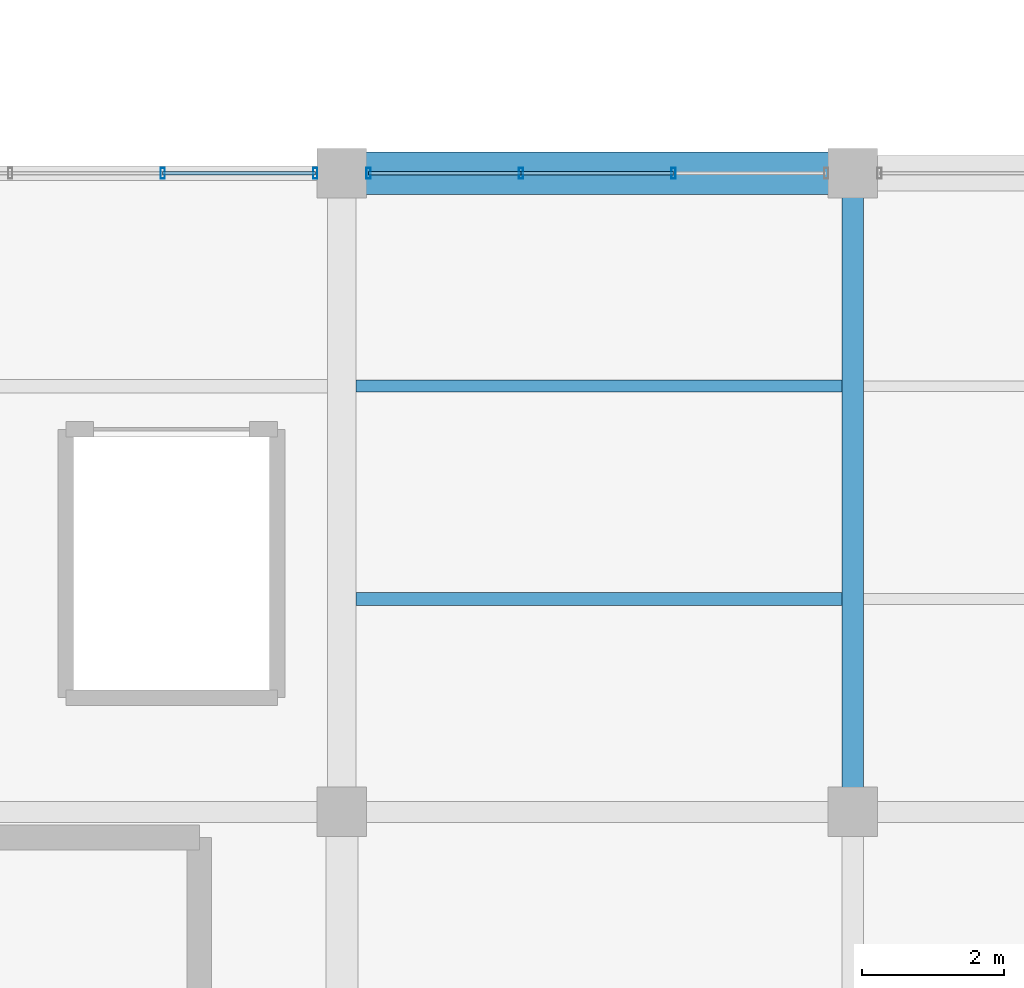
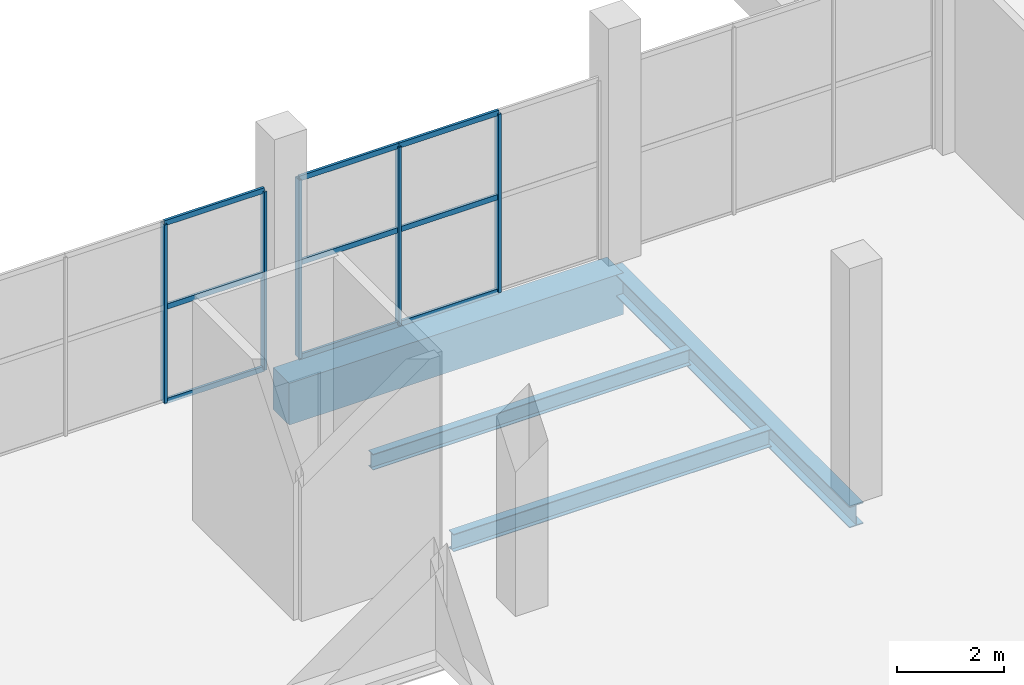
# One storey, part 102 of 147: 14 members, 4 beams, 2 elements without a shape of their own.
"""IFC4 building model written with IfcOpenShell, lengths in metres."""

from ifc_helpers import new_model, si_unit, direction, frame, origin, origin_2d, place, context, subcontext, project, spatial, rectangle, hollow_rectangle, i_section, extrude, material, layer, layer_set, material_profile, profile_set, type_object, element, aggregate, save


model = new_model("IFC4")

# Units and contexts
model_context = context("Model", 3, precision=1e-05, world=origin(), true_north=direction((0.0, 1.0)))
body_context = subcontext(model_context, "Body", "Model", "MODEL_VIEW")
ifc_project = project(units=[si_unit("LENGTHUNIT", "METRE"), si_unit("AREAUNIT", "SQUARE_METRE"), si_unit("VOLUMEUNIT", "CUBIC_METRE"), si_unit("PLANEANGLEUNIT", "RADIAN"), si_unit("MASSUNIT", "GRAM", prefix="KILO")], contexts=[model_context])

# Site, building, storey
site_placement = place(None, origin())
site = spatial("IfcSite", under=ifc_project, at=site_placement, CompositionType="ELEMENT")
building_placement = place(site_placement, origin())
building = spatial("IfcBuilding", under=site, at=building_placement, Name="Sundgate Opera House", CompositionType="ELEMENT")
storey_placement = place(building_placement, frame((0.0, 0.0, 6.0)))
storey = spatial("IfcBuildingStorey", under=building, at=storey_placement, Name="L01", CompositionType="ELEMENT", Elevation=6.0)

# Beams
ifc_material_1 = material(Name="Steel S355J2", Category="steel")
ifc_material_profile_1 = material_profile(ifc_material_1, i_section(OverallWidth=0.300048828125, OverallDepth=0.489990234375, WebThickness=0.011962890625, FlangeThickness=0.02294921875, at=origin_2d()), Name="HEA 500")
ifc_profile_set_1 = profile_set([ifc_material_profile_1], Name="Steel S355J2")
beam_type_1 = type_object("IfcBeamType", Name="BM-GR-HEA500", PredefinedType="BEAM", material=ifc_profile_set_1)
beam_1_placement = place(storey_placement, frame((145.800048828125, 78.0, -0.544921875), z_axis=(0.0, 1.0, 0.0), x_axis=(-1.0, 0.0, 0.0)))
element("IfcBeam", 1, at=beam_1_placement, inside=storey, type_object=beam_type_1, Name="L01 Primary N-S Girder B1235", PredefinedType="BEAM", context=body_context, shape_type="SweptSolid", body=[
    extrude(i_section(OverallWidth=0.300048828125, OverallDepth=0.489990234375, WebThickness=0.011962890625, FlangeThickness=0.02294921875, at=origin_2d()), origin(), (0.0, 0.0, 1.0), 9.0),
])
ifc_material_2 = material(Name="Steel S355J2", Category="steel")
ifc_material_profile_2 = material_profile(ifc_material_2, i_section(OverallWidth=0.169921875, OverallDepth=0.360107421875, WebThickness=0.008056640625, FlangeThickness=0.0126953125, at=origin_2d()), Name="IPE 360")
ifc_profile_set_2 = profile_set([ifc_material_profile_2], Name="Steel S355J2")
beam_type_2 = type_object("IfcBeamType", Name="BM-JS-IPE360", PredefinedType="JOIST", material=ifc_profile_set_2)
beam_2_placement = place(storey_placement, frame((138.800048828125, 84.0, -0.47998046875), z_axis=(1.0, 0.0, 0.0), x_axis=(0.0, 1.0, 0.0)))
element("IfcBeam", 2, at=beam_2_placement, inside=storey, type_object=beam_type_2, Name="L01 Secondary Floor Joist B1654", PredefinedType="JOIST", context=body_context, shape_type="SweptSolid", body=[
    extrude(i_section(OverallWidth=0.169921875, OverallDepth=0.360107421875, WebThickness=0.008056640625, FlangeThickness=0.0126953125, at=origin_2d()), origin(), (0.0, 0.0, 1.0), 6.849853515625),
])
ifc_material_3 = material(Name="Steel S355J2", Category="steel")
ifc_material_profile_3 = material_profile(ifc_material_3, i_section(OverallWidth=0.179931640625, OverallDepth=0.39990234375, WebThickness=0.008544921875, FlangeThickness=0.013427734375, at=origin_2d()), Name="IPE 400")
ifc_profile_set_3 = profile_set([ifc_material_profile_3], Name="Steel S355J2")
beam_type_3 = type_object("IfcBeamType", Name="BM-JS-IPE400", PredefinedType="JOIST", material=ifc_profile_set_3)
beam_3_placement = place(storey_placement, frame((138.800048828125, 81.0, -0.5), z_axis=(1.0, 0.0, 0.0), x_axis=(0.0, 1.0, 0.0)))
element("IfcBeam", 3, at=beam_3_placement, inside=storey, type_object=beam_type_3, Name="L01 Secondary Floor Joist B1653", PredefinedType="JOIST", context=body_context, shape_type="SweptSolid", body=[
    extrude(i_section(OverallWidth=0.179931640625, OverallDepth=0.39990234375, WebThickness=0.008544921875, FlangeThickness=0.013427734375, at=origin_2d()), origin(), (0.0, 0.0, 1.0), 6.849853515625),
])
ifc_material_4 = material(Name="Concrete C40/50", Category="concrete")
ifc_material_profile_4 = material_profile(ifc_material_4, rectangle(XDim=0.60009765625, YDim=0.949951171875, at=origin_2d()), Name="RC 600x950")
ifc_profile_set_4 = profile_set([ifc_material_profile_4], Name="Concrete C40/50")
beam_type_4 = type_object("IfcBeamType", Name="BM-RC-600x950", PredefinedType="BEAM", material=ifc_profile_set_4)
beam_4_placement = place(storey_placement, frame((138.60009765625, 87.0, -0.77490234375), z_axis=(1.0, 0.0, 0.0), x_axis=(0.0, 1.0, 0.0)))
element("IfcBeam", 4, at=beam_4_placement, inside=storey, type_object=beam_type_4, Name="L01 Primary E-W Girder B1397", PredefinedType="BEAM", context=body_context, shape_type="SweptSolid", body=[
    extrude(rectangle(XDim=0.60009765625, YDim=0.949951171875, at=origin_2d()), origin(), (0.0, 0.0, 1.0), 7.199951171875),
])

# Curtain wall, members
ifc_material_5 = material(Name="Anodized aluminium and low-iron glass", Category="aluminium")
ifc_layer = layer(ifc_material_5, 0.159912109375)
ifc_layer_set = layer_set([ifc_layer], Name="Anodized aluminium and low-iron glass")
curtain_wall_type = type_object("IfcCurtainWallType", Name="CW-STUDIO-DARK", PredefinedType="NOTDEFINED", material=ifc_layer_set)
curtain_wall_1_placement = place(storey_placement, origin())
curtain_wall_1 = element("IfcCurtainWall", 5, at=curtain_wall_1_placement, inside=storey, type_object=curtain_wall_type, Name="L01 Curtain Wall CW096", PredefinedType="NOTDEFINED")
ifc_material_6 = material(Name="Anodized aluminium EN AW-6063", Category="aluminium")
ifc_material_profile_5 = material_profile(ifc_material_6, hollow_rectangle(XDim=0.06005859375, YDim=0.14990234375, WallThickness=0.00390625, at=origin_2d()), Name="CWM 150x60x4")
ifc_profile_set_5 = profile_set([ifc_material_profile_5], Name="Anodized aluminium EN AW-6063")
member_type_1 = type_object("IfcMemberType", Name="CWM-ALU-150x60", PredefinedType="MULLION", material=ifc_profile_set_5)
member_1_placement = place(storey_placement, frame((136.074951171875, 87.0, 0.0), z_axis=(0.0, 0.0, 1.0), x_axis=(1.0, 0.0, 0.0)))
member_1 = element("IfcMember", 6, at=member_1_placement, type_object=member_type_1, Name="CW096 Mullion 3", PredefinedType="MULLION", context=body_context, shape_type="SweptSolid", body=[
    extrude(hollow_rectangle(XDim=0.06005859375, YDim=0.14990234375, WallThickness=0.00390625, at=origin_2d()), origin(), (0.0, 0.0, 1.0), 4.06494140625),
])
member_2_placement = place(storey_placement, frame((138.22509765625, 87.0, 0.0), z_axis=(0.0, 0.0, 1.0), x_axis=(1.0, 0.0, 0.0)))
member_2 = element("IfcMember", 7, at=member_2_placement, type_object=member_type_1, Name="CW096 Mullion 4", PredefinedType="MULLION", context=body_context, shape_type="SweptSolid", body=[
    extrude(hollow_rectangle(XDim=0.06005859375, YDim=0.14990234375, WallThickness=0.00390625, at=origin_2d()), origin(), (0.0, 0.0, 1.0), 4.06494140625),
])

curtain_wall_2_placement = place(storey_placement, origin())
curtain_wall_2 = element("IfcCurtainWall", 8, at=curtain_wall_2_placement, inside=storey, type_object=curtain_wall_type, Name="L01 Curtain Wall CW098", PredefinedType="NOTDEFINED")
member_3_placement = place(storey_placement, frame((138.97509765625, 87.0, 0.0), z_axis=(0.0, 0.0, 1.0), x_axis=(1.0, 0.0, 0.0)))
member_3 = element("IfcMember", 9, at=member_3_placement, type_object=member_type_1, Name="CW098 Mullion 1", PredefinedType="MULLION", context=body_context, shape_type="SweptSolid", body=[
    extrude(hollow_rectangle(XDim=0.06005859375, YDim=0.14990234375, WallThickness=0.00390625, at=origin_2d()), origin(), (0.0, 0.0, 1.0), 4.06494140625),
])
member_4_placement = place(storey_placement, frame((141.125, 87.0, 0.0), z_axis=(0.0, 0.0, 1.0), x_axis=(1.0, 0.0, 0.0)))
member_4 = element("IfcMember", 10, at=member_4_placement, type_object=member_type_1, Name="CW098 Mullion 2", PredefinedType="MULLION", context=body_context, shape_type="SweptSolid", body=[
    extrude(hollow_rectangle(XDim=0.06005859375, YDim=0.14990234375, WallThickness=0.00390625, at=origin_2d()), origin(), (0.0, 0.0, 1.0), 4.06494140625),
])
member_5_placement = place(storey_placement, frame((143.27490234375, 87.0, 0.0), z_axis=(0.0, 0.0, 1.0), x_axis=(1.0, 0.0, 0.0)))
member_5 = element("IfcMember", 11, at=member_5_placement, type_object=member_type_1, Name="CW098 Mullion 3", PredefinedType="MULLION", context=body_context, shape_type="SweptSolid", body=[
    extrude(hollow_rectangle(XDim=0.06005859375, YDim=0.14990234375, WallThickness=0.00390625, at=origin_2d()), origin(), (0.0, 0.0, 1.0), 4.06494140625),
])

# Member
ifc_material_7 = material(Name="Anodized aluminium EN AW-6063", Category="aluminium")
ifc_material_profile_6 = material_profile(ifc_material_7, hollow_rectangle(XDim=0.054931640625, YDim=0.1201171875, WallThickness=0.00390625, at=origin_2d()), Name="CWT 120x55x4")
ifc_profile_set_6 = profile_set([ifc_material_profile_6], Name="Anodized aluminium EN AW-6063")
member_type_2 = type_object("IfcMemberType", Name="CWT-ALU-120x55", PredefinedType="USERDEFINED", material=ifc_profile_set_6)
member_6_placement = place(storey_placement, frame((136.074951171875, 87.0, 0.0), z_axis=(1.0, 0.0, 0.0), x_axis=(0.0, 1.0, 0.0)))
member_6 = element("IfcMember", 12, at=member_6_placement, type_object=member_type_2, Name="CW096 Transom 7", ObjectType="TRANSOM", PredefinedType="USERDEFINED", context=body_context, shape_type="SweptSolid", body=[
    extrude(hollow_rectangle(XDim=0.054931640625, YDim=0.1201171875, WallThickness=0.00390625, at=origin_2d()), origin(), (0.0, 0.0, 1.0), 2.150146484375),
])

member_7_placement = place(storey_placement, frame((136.074951171875, 87.0, 2.14990234375), z_axis=(1.0, 0.0, 0.0), x_axis=(0.0, 1.0, 0.0)))
member_7 = element("IfcMember", 13, at=member_7_placement, type_object=member_type_2, Name="CW096 Transom 8", ObjectType="TRANSOM", PredefinedType="USERDEFINED", context=body_context, shape_type="SweptSolid", body=[
    extrude(hollow_rectangle(XDim=0.054931640625, YDim=0.1201171875, WallThickness=0.00390625, at=origin_2d()), origin(), (0.0, 0.0, 1.0), 2.150146484375),
])

member_8_placement = place(storey_placement, frame((136.074951171875, 87.0, 4.06494140625), z_axis=(1.0, 0.0, 0.0), x_axis=(0.0, 1.0, 0.0)))
member_8 = element("IfcMember", 14, at=member_8_placement, type_object=member_type_2, Name="CW096 Transom 9", ObjectType="TRANSOM", PredefinedType="USERDEFINED", context=body_context, shape_type="SweptSolid", body=[
    extrude(hollow_rectangle(XDim=0.054931640625, YDim=0.1201171875, WallThickness=0.00390625, at=origin_2d()), origin(), (0.0, 0.0, 1.0), 2.150146484375),
])

aggregate(curtain_wall_1, [member_1, member_2, member_6, member_7, member_8])

member_9_placement = place(storey_placement, frame((138.97509765625, 87.0, 0.0), z_axis=(1.0, 0.0, 0.0), x_axis=(0.0, 1.0, 0.0)))
member_9 = element("IfcMember", 15, at=member_9_placement, type_object=member_type_2, Name="CW098 Transom 1", ObjectType="TRANSOM", PredefinedType="USERDEFINED", context=body_context, shape_type="SweptSolid", body=[
    extrude(hollow_rectangle(XDim=0.054931640625, YDim=0.1201171875, WallThickness=0.00390625, at=origin_2d()), origin(), (0.0, 0.0, 1.0), 2.14990234375),
])

member_10_placement = place(storey_placement, frame((138.97509765625, 87.0, 2.14990234375), z_axis=(1.0, 0.0, 0.0), x_axis=(0.0, 1.0, 0.0)))
member_10 = element("IfcMember", 16, at=member_10_placement, type_object=member_type_2, Name="CW098 Transom 2", ObjectType="TRANSOM", PredefinedType="USERDEFINED", context=body_context, shape_type="SweptSolid", body=[
    extrude(hollow_rectangle(XDim=0.054931640625, YDim=0.1201171875, WallThickness=0.00390625, at=origin_2d()), origin(), (0.0, 0.0, 1.0), 2.14990234375),
])

member_11_placement = place(storey_placement, frame((138.97509765625, 87.0, 4.06494140625), z_axis=(1.0, 0.0, 0.0), x_axis=(0.0, 1.0, 0.0)))
member_11 = element("IfcMember", 17, at=member_11_placement, type_object=member_type_2, Name="CW098 Transom 3", ObjectType="TRANSOM", PredefinedType="USERDEFINED", context=body_context, shape_type="SweptSolid", body=[
    extrude(hollow_rectangle(XDim=0.054931640625, YDim=0.1201171875, WallThickness=0.00390625, at=origin_2d()), origin(), (0.0, 0.0, 1.0), 2.14990234375),
])

member_12_placement = place(storey_placement, frame((141.125, 87.0, 0.0), z_axis=(1.0, 0.0, 0.0), x_axis=(0.0, 1.0, 0.0)))
member_12 = element("IfcMember", 18, at=member_12_placement, type_object=member_type_2, Name="CW098 Transom 4", ObjectType="TRANSOM", PredefinedType="USERDEFINED", context=body_context, shape_type="SweptSolid", body=[
    extrude(hollow_rectangle(XDim=0.054931640625, YDim=0.1201171875, WallThickness=0.00390625, at=origin_2d()), origin(), (0.0, 0.0, 1.0), 2.14990234375),
])

member_13_placement = place(storey_placement, frame((141.125, 87.0, 2.14990234375), z_axis=(1.0, 0.0, 0.0), x_axis=(0.0, 1.0, 0.0)))
member_13 = element("IfcMember", 19, at=member_13_placement, type_object=member_type_2, Name="CW098 Transom 5", ObjectType="TRANSOM", PredefinedType="USERDEFINED", context=body_context, shape_type="SweptSolid", body=[
    extrude(hollow_rectangle(XDim=0.054931640625, YDim=0.1201171875, WallThickness=0.00390625, at=origin_2d()), origin(), (0.0, 0.0, 1.0), 2.14990234375),
])

member_14_placement = place(storey_placement, frame((141.125, 87.0, 4.06494140625), z_axis=(1.0, 0.0, 0.0), x_axis=(0.0, 1.0, 0.0)))
member_14 = element("IfcMember", 20, at=member_14_placement, type_object=member_type_2, Name="CW098 Transom 6", ObjectType="TRANSOM", PredefinedType="USERDEFINED", context=body_context, shape_type="SweptSolid", body=[
    extrude(hollow_rectangle(XDim=0.054931640625, YDim=0.1201171875, WallThickness=0.00390625, at=origin_2d()), origin(), (0.0, 0.0, 1.0), 2.14990234375),
])

aggregate(curtain_wall_2, [member_3, member_4, member_5, member_9, member_10, member_11, member_12, member_13, member_14])

save(model, "model.ifc")
